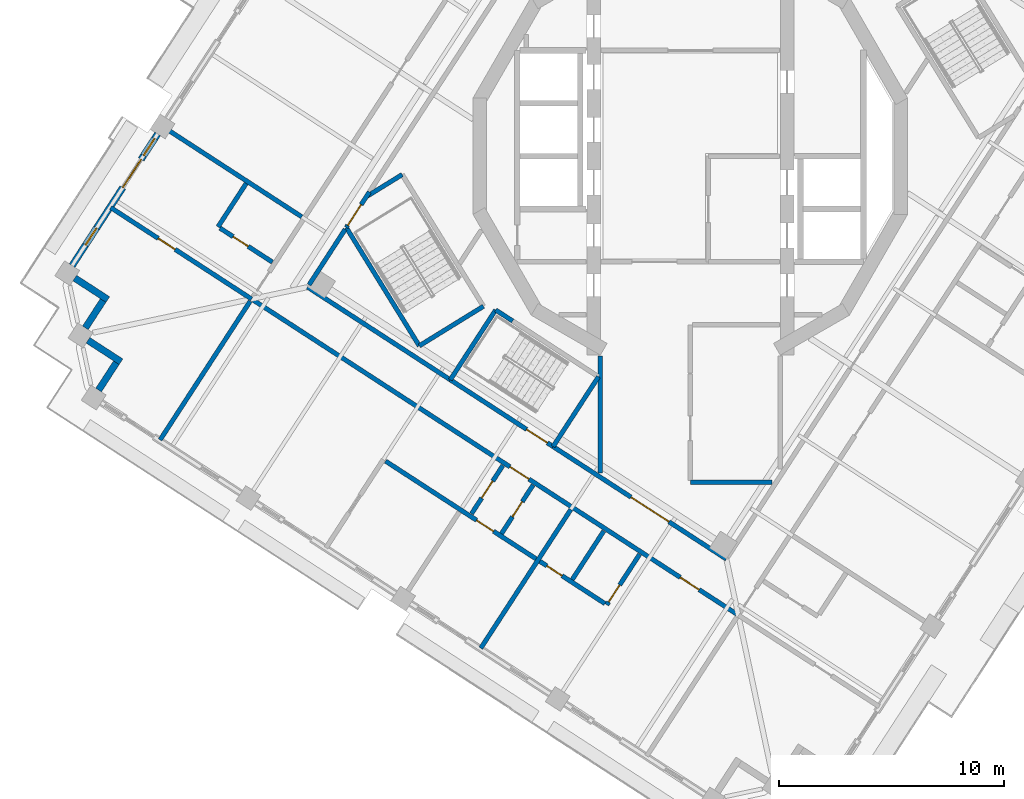
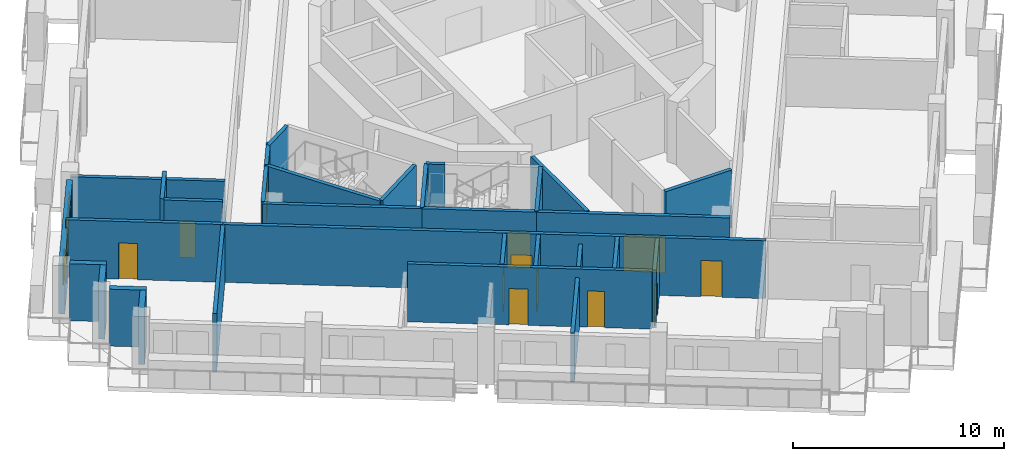
# One storey, part 6 of 17: 30 walls, 13 doors, 2 windows, 15 openings.
"""IFC4 building model written with IfcOpenShell, lengths in metres."""

from ifc_helpers import new_model, si_unit, direction, frame, frame_2d, origin, place, context, subcontext, project, spatial, rectangle, extrude, material, layer, layer_set, type_object, element, fill, save


model = new_model("IFC4")

# Units and contexts
model_context = context("Model", 3, precision=1e-05, world=origin(), true_north=direction((0.0, 1.0)))
body_context = subcontext(model_context, "Body", "Model", "MODEL_VIEW")
ifc_project = project(units=[si_unit("LENGTHUNIT", "METRE"), si_unit("AREAUNIT", "SQUARE_METRE"), si_unit("VOLUMEUNIT", "CUBIC_METRE"), si_unit("PLANEANGLEUNIT", "RADIAN"), si_unit("MASSUNIT", "GRAM", prefix="KILO")], contexts=[model_context])

# Site, building, storey
site_placement = place(None, origin())
site = spatial("IfcSite", under=ifc_project, at=site_placement, CompositionType="ELEMENT")
building_placement = place(site_placement, origin())
building = spatial("IfcBuilding", under=site, at=building_placement, Name="Cantera Rosa Tower", CompositionType="ELEMENT")
storey_placement = place(building_placement, frame((0.0, 0.0, 279.300048828125)))
storey = spatial("IfcBuildingStorey", under=building, at=storey_placement, Name="L63", CompositionType="ELEMENT", Elevation=279.300048828125)

# Wall, openings, doors
ifc_material_1 = material(Name="Gypsum board partition")
ifc_layer_1 = layer(ifc_material_1, 0.199951171875)
ifc_layer_set_1 = layer_set([ifc_layer_1], Name="CORRIDOR WALL 200 H3350")
wall_type_1 = type_object("IfcWallType", Name="CORRIDOR WALL 200 H3350", PredefinedType="PARTITIONING", material=ifc_layer_set_1)
wall_1_placement = place(storey_placement, frame((-19.489013671875, -6.36181640625, 0.0), z_axis=(0.0, 0.0, 1.0), x_axis=(0.838670079337, -0.544639787405, 0.0)))
wall_1 = element("IfcWall", 1, at=wall_1_placement, inside=storey, type_object=wall_type_1, Name="CORRIDOR WALL L63-004", PredefinedType="PARTITIONING", context=body_context, shape_type="SweptSolid", body=[
    extrude(rectangle(XDim=25.780029296875, YDim=0.199951171875, at=frame_2d((12.89013671875, 0.0))), origin(), (0.0, 0.0, 1.0), 3.349853515625),
])
opening_1_placement = place(wall_1_placement, frame((13.679931640625, 0.0, 0.0)))
opening_1 = element("IfcOpeningElement", 2, at=opening_1_placement, cuts=wall_1, Name="Opening L63-032", PredefinedType="OPENING", context=body_context, shape_type="SweptSolid", body=[
    extrude(rectangle(XDim=1.0, YDim=2.10009765625, at=frame_2d((0.5, 1.050048828125))), frame((0.0, 0.10986328125, 0.0), z_axis=(0.0, -1.0, 0.0), x_axis=(1.0, 0.0, 0.0)), (0.0, 0.0, 1.0), 0.219970703125),
])
opening_2_placement = place(wall_1_placement, frame((22.705078125, 0.0, 0.0)))
opening_2 = element("IfcOpeningElement", 3, at=opening_2_placement, cuts=wall_1, Name="Opening L63-037", PredefinedType="OPENING", context=body_context, shape_type="SweptSolid", body=[
    extrude(rectangle(XDim=1.0, YDim=2.10009765625, at=frame_2d((0.5, 1.050048828125))), frame((0.0, 0.10986328125, 0.0), z_axis=(0.0, -1.0, 0.0), x_axis=(1.0, 0.0, 0.0)), (0.0, 0.0, 1.0), 0.219970703125),
])
ifc_material_2 = material(Name="Timber door leaf", Category="wood")
door_type_1 = type_object("IfcDoorType", Name="ENTRANCE DOOR 1000x2100", OperationType="NOTDEFINED", PredefinedType="DOOR", material=ifc_material_2)
door_1_placement = place(opening_1_placement, origin())
door_1 = element("IfcDoor", 4, at=door_1_placement, inside=storey, type_object=door_type_1, Name="DOOR L63-032", OperationType="NOTDEFINED", OverallHeight=2.10009765625, OverallWidth=1.0, PredefinedType="DOOR", context=body_context, shape_type="SweptSolid", body=[
    extrude(rectangle(XDim=1.0, YDim=2.10009765625, at=frame_2d((0.5, 1.050048828125))), frame((0.0, 0.02490234375, 0.0), z_axis=(0.0, -1.0, 0.0), x_axis=(1.0, 0.0, 0.0)), (0.0, 0.0, 1.0), 0.050048828125),
])
fill(opening_1, door_1)
door_2_placement = place(opening_2_placement, origin())
door_2 = element("IfcDoor", 5, at=door_2_placement, inside=storey, type_object=door_type_1, Name="DOOR L63-037", OperationType="NOTDEFINED", OverallHeight=2.10009765625, OverallWidth=1.0, PredefinedType="DOOR", context=body_context, shape_type="SweptSolid", body=[
    extrude(rectangle(XDim=1.0, YDim=2.10009765625, at=frame_2d((0.5, 1.050048828125))), frame((0.0, 0.02490234375, 0.0), z_axis=(0.0, -1.0, 0.0), x_axis=(1.0, 0.0, 0.0)), (0.0, 0.0, 1.0), 0.050048828125),
])
fill(opening_2, door_2)

# Walls
wall_2_placement = place(storey_placement, frame((-17.015869140625, -5.82177734375, 0.0), z_axis=(0.0, 0.0, 1.0), x_axis=(0.838672854678, -0.544635513739, 0.0)))
element("IfcWall", 6, at=wall_2_placement, inside=storey, type_object=wall_type_1, Name="CORRIDOR WALL L63-007", PredefinedType="PARTITIONING", context=body_context, shape_type="SweptSolid", body=[
    extrude(rectangle(XDim=7.56494140625, YDim=0.199951171875, at=frame_2d((3.782470703125, 0.0))), origin(), (0.0, 0.0, 1.0), 3.349853515625),
])
wall_3_placement = place(storey_placement, frame((-15.349853515625, -3.256103515625, 0.0), z_axis=(0.0, 0.0, 1.0), x_axis=(-0.544576607641, -0.838711105453, 0.0)))
element("IfcWall", 7, at=wall_3_placement, inside=storey, type_object=wall_type_1, Name="CORRIDOR WALL L63-009", PredefinedType="PARTITIONING", context=body_context, shape_type="SweptSolid", body=[
    extrude(rectangle(XDim=2.939208984375, YDim=0.199951171875, at=frame_2d((1.4697265625, 0.0))), origin(), (0.0, 0.0, 1.0), 3.349853515625),
])

# Wall, opening, door
wall_4_placement = place(storey_placement, frame((-6.1005859375, -12.91015625, 0.0), z_axis=(0.0, 0.0, 1.0), x_axis=(0.838671883824, -0.544637008734, 0.0)))
wall_4 = element("IfcWall", 8, at=wall_4_placement, inside=storey, type_object=wall_type_1, Name="CORRIDOR WALL L63-034", PredefinedType="PARTITIONING", context=body_context, shape_type="SweptSolid", body=[
    extrude(rectangle(XDim=9.184814453125, YDim=0.199951171875, at=frame_2d((4.59228515625, 0.0))), origin(), (0.0, 0.0, 1.0), 3.349853515625),
])
opening_3_placement = place(wall_4_placement, frame((4.135009765625, 0.0, 0.0)))
opening_3 = element("IfcOpeningElement", 9, at=opening_3_placement, cuts=wall_4, Name="Opening L63-010", PredefinedType="OPENING", context=body_context, shape_type="SweptSolid", body=[
    extrude(rectangle(XDim=2.0, YDim=2.10009765625, at=frame_2d((1.0, 1.050048828125))), frame((0.0, 0.10986328125, 0.0), z_axis=(0.0, -1.0, 0.0), x_axis=(1.0, 0.0, 0.0)), (0.0, 0.0, 1.0), 0.219970703125),
])
ifc_material_3 = material(Name="Steel S355J2 (EN 10025-2)", Category="steel")
door_type_2 = type_object("IfcDoorType", Name="LOBBY SCREEN DOOR 2000x2100", OperationType="NOTDEFINED", PredefinedType="DOOR", material=ifc_material_3)
door_3_placement = place(opening_3_placement, origin())
door_3 = element("IfcDoor", 10, at=door_3_placement, inside=storey, type_object=door_type_2, Name="DOOR L63-010", OperationType="NOTDEFINED", OverallHeight=2.10009765625, OverallWidth=2.0, PredefinedType="DOOR", context=body_context, shape_type="SweptSolid", body=[
    extrude(rectangle(XDim=2.0, YDim=2.10009765625, at=frame_2d((1.0, 1.050048828125))), frame((0.0, 0.02490234375, 0.0), z_axis=(0.0, -1.0, 0.0), x_axis=(1.0, 0.0, 0.0)), (0.0, 0.0, 1.0), 0.050048828125),
])
fill(opening_3, door_3)

# Walls
wall_5_placement = place(storey_placement, frame((-4.0, -14.09423828125, 0.0), z_axis=(0.0, 0.0, 1.0), x_axis=(0.0, 1.0, 0.0)))
element("IfcWall", 11, at=wall_5_placement, inside=storey, type_object=wall_type_1, Name="CORRIDOR WALL L63-043", PredefinedType="PARTITIONING", context=body_context, shape_type="SweptSolid", body=[
    extrude(rectangle(XDim=5.21533203125, YDim=0.199951171875, at=frame_2d((2.607666015625, 0.0))), origin(), (0.0, 0.0, 1.0), 3.349853515625),
])
wall_6_placement = place(storey_placement, frame((0.0, -14.5, 0.0), z_axis=(0.0, 0.0, 1.0), x_axis=(1.0, 0.0, 0.0)))
element("IfcWall", 12, at=wall_6_placement, inside=storey, type_object=wall_type_1, Name="CORRIDOR WALL L63-054", PredefinedType="PARTITIONING", context=body_context, shape_type="SweptSolid", body=[
    extrude(rectangle(XDim=3.638916015625, YDim=0.199951171875, at=frame_2d((1.8193359375, 0.0))), origin(), (0.0, 0.0, 1.0), 3.349853515625),
])
ifc_material_4 = material(Name="Hollow clay masonry with cantera stone cladding", Category="masonry")
ifc_layer_2 = layer(ifc_material_4, 0.300048828125)
ifc_layer_set_2 = layer_set([ifc_layer_2], Name="EW-LOGGIA 300")
wall_type_2 = type_object("IfcWallType", Name="EW-LOGGIA 300", PredefinedType="SOLIDWALL", material=ifc_layer_set_2)
wall_7_placement = place(storey_placement, frame((-27.36669921875, -5.41943359375, 0.0), z_axis=(0.0, 0.0, 1.0), x_axis=(0.838685761837, -0.54461563776, 0.0)))
element("IfcWall", 13, at=wall_7_placement, inside=storey, type_object=wall_type_2, Name="EN-L63-W12a", PredefinedType="SOLIDWALL", context=body_context, shape_type="SweptSolid", body=[
    extrude(rectangle(XDim=1.75, YDim=0.300048828125, at=frame_2d((0.875, 0.0))), origin(), (0.0, 0.0, 1.0), 3.300048828125),
])
wall_8_placement = place(storey_placement, frame((-26.1064453125, -6.41650390625, 0.0), z_axis=(0.0, 0.0, 1.0), x_axis=(-0.54467465438, -0.838647435384, 0.0)))
element("IfcWall", 14, at=wall_8_placement, inside=storey, type_object=wall_type_2, Name="EN-L63-W12b", PredefinedType="SOLIDWALL", context=body_context, shape_type="SweptSolid", body=[
    extrude(rectangle(XDim=1.449951171875, YDim=0.300048828125, at=frame_2d((0.72509765625, 0.0))), origin(), (0.0, 0.0, 1.0), 3.300048828125),
])
wall_9_placement = place(storey_placement, frame((-26.778564453125, -8.18603515625, 0.0), z_axis=(0.0, 0.0, 1.0), x_axis=(0.838685761837, -0.54461563776, 0.0)))
element("IfcWall", 15, at=wall_9_placement, inside=storey, type_object=wall_type_2, Name="EN-L63-W13a", PredefinedType="SOLIDWALL", context=body_context, shape_type="SweptSolid", body=[
    extrude(rectangle(XDim=1.75, YDim=0.300048828125, at=frame_2d((0.875, 0.0))), origin(), (0.0, 0.0, 1.0), 3.300048828125),
])
wall_10_placement = place(storey_placement, frame((-25.518310546875, -9.18310546875, 0.0), z_axis=(0.0, 0.0, 1.0), x_axis=(-0.54467465438, -0.838647435384, 0.0)))
element("IfcWall", 16, at=wall_10_placement, inside=storey, type_object=wall_type_2, Name="EN-L63-W13b", PredefinedType="SOLIDWALL", context=body_context, shape_type="SweptSolid", body=[
    extrude(rectangle(XDim=1.449951171875, YDim=0.300048828125, at=frame_2d((0.72509765625, 0.0))), origin(), (0.0, 0.0, 1.0), 3.300048828125),
])

# Wall, openings, windows, door
ifc_material_5 = material(Name="Hollow clay masonry with cantera stone cladding", Category="masonry")
ifc_layer_3 = layer(ifc_material_5, 0.300048828125)
ifc_layer_set_3 = layer_set([ifc_layer_3], Name="EW-LOGGIA 300 H2890")
wall_type_3 = type_object("IfcWallType", Name="EW-LOGGIA 300 H2890", PredefinedType="SOLIDWALL", material=ifc_layer_set_3)
wall_11_placement = place(storey_placement, frame((-23.6826171875, 0.98779296875, 0.0), z_axis=(0.0, 0.0, 1.0), x_axis=(-0.544667428764, -0.838652128146, 0.0)))
wall_11 = element("IfcWall", 17, at=wall_11_placement, inside=storey, type_object=wall_type_3, Name="EN-L63-W11", PredefinedType="SOLIDWALL", context=body_context, shape_type="SweptSolid", body=[
    extrude(rectangle(XDim=6.97998046875, YDim=0.300048828125, at=frame_2d((3.489990234375, 0.0))), origin(), (0.0, 0.0, 1.0), 2.889892578125),
])
opening_4_placement = place(wall_11_placement, frame((0.2451171875, 0.0, 0.89990234375)))
opening_4 = element("IfcOpeningElement", 18, at=opening_4_placement, cuts=wall_11, Name="Opening L63-W19", PredefinedType="OPENING", context=body_context, shape_type="SweptSolid", body=[
    extrude(rectangle(XDim=0.89990234375, YDim=1.5, at=frame_2d((0.449951171875, 0.75))), frame((0.0, 0.159912109375, 0.0), z_axis=(0.0, -1.0, 0.0), x_axis=(1.0, 0.0, 0.0)), (0.0, 0.0, 1.0), 0.320068359375),
])
opening_5_placement = place(wall_11_placement, frame((1.344970703125, 0.0, 0.0)))
opening_5 = element("IfcOpeningElement", 19, at=opening_5_placement, cuts=wall_11, Name="Opening L63-TD20", PredefinedType="OPENING", context=body_context, shape_type="SweptSolid", body=[
    extrude(rectangle(XDim=1.5, YDim=2.39990234375, at=frame_2d((0.75, 1.199951171875))), frame((0.0, 0.159912109375, 0.0), z_axis=(0.0, -1.0, 0.0), x_axis=(1.0, 0.0, 0.0)), (0.0, 0.0, 1.0), 0.320068359375),
])
opening_6_placement = place(wall_11_placement, frame((4.985107421875, 0.0, 0.89990234375)))
opening_6 = element("IfcOpeningElement", 20, at=opening_6_placement, cuts=wall_11, Name="Opening L63-W21", PredefinedType="OPENING", context=body_context, shape_type="SweptSolid", body=[
    extrude(rectangle(XDim=0.89990234375, YDim=1.5, at=frame_2d((0.449951171875, 0.75))), frame((0.0, 0.159912109375, 0.0), z_axis=(0.0, -1.0, 0.0), x_axis=(1.0, 0.0, 0.0)), (0.0, 0.0, 1.0), 0.320068359375),
])
ifc_material_6 = material(Name="Aluminium frame with clear glass", Category="aluminium")
window_type = type_object("IfcWindowType", Name="Residential window 900x1500", PartitioningType="SINGLE_PANEL", PredefinedType="WINDOW", material=ifc_material_6)
window_1_placement = place(opening_4_placement, origin())
window_1 = element("IfcWindow", 21, at=window_1_placement, inside=storey, type_object=window_type, Name="WINDOW L63-W19", OverallHeight=1.5, OverallWidth=0.89990234375, PartitioningType="SINGLE_PANEL", PredefinedType="WINDOW", context=body_context, shape_type="SweptSolid", body=[
    extrude(rectangle(XDim=0.89990234375, YDim=1.5, at=frame_2d((0.449951171875, 0.75))), frame((0.0, 0.030029296875, 0.0), z_axis=(0.0, -1.0, 0.0), x_axis=(1.0, 0.0, 0.0)), (0.0, 0.0, 1.0), 0.06005859375),
])
fill(opening_4, window_1)
window_2_placement = place(opening_6_placement, origin())
window_2 = element("IfcWindow", 22, at=window_2_placement, inside=storey, type_object=window_type, Name="WINDOW L63-W21", OverallHeight=1.5, OverallWidth=0.89990234375, PartitioningType="SINGLE_PANEL", PredefinedType="WINDOW", context=body_context, shape_type="SweptSolid", body=[
    extrude(rectangle(XDim=0.89990234375, YDim=1.5, at=frame_2d((0.449951171875, 0.75))), frame((0.0, 0.030029296875, 0.0), z_axis=(0.0, -1.0, 0.0), x_axis=(1.0, 0.0, 0.0)), (0.0, 0.0, 1.0), 0.06005859375),
])
fill(opening_6, window_2)
ifc_material_7 = material(Name="Aluminium frame with clear glass", Category="aluminium")
door_type_3 = type_object("IfcDoorType", Name="TD-R 1500x2400", OperationType="NOTDEFINED", PredefinedType="DOOR", material=ifc_material_7)
door_4_placement = place(opening_5_placement, origin())
door_4 = element("IfcDoor", 23, at=door_4_placement, inside=storey, type_object=door_type_3, Name="LOGGIA DOOR L63-TD20", OperationType="SLIDING_TO_LEFT", OverallHeight=2.39990234375, OverallWidth=1.5, PredefinedType="DOOR", context=body_context, shape_type="SweptSolid", body=[
    extrude(rectangle(XDim=1.5, YDim=2.39990234375, at=frame_2d((0.75, 1.199951171875))), frame((0.0, 0.02490234375, 0.0), z_axis=(0.0, -1.0, 0.0), x_axis=(1.0, 0.0, 0.0)), (0.0, 0.0, 1.0), 0.050048828125),
])
fill(opening_5, door_4)

# Wall, opening, door
ifc_material_8 = material(Name="Gypsum board partition")
ifc_layer_4 = layer(ifc_material_8, 0.199951171875)
ifc_layer_set_4 = layer_set([ifc_layer_4], Name="PARTITION 200 H3350")
wall_type_4 = type_object("IfcWallType", Name="PARTITION 200 H3350", PredefinedType="PARTITIONING", material=ifc_layer_set_4)
wall_12_placement = place(storey_placement, frame((-25.770751953125, -2.282470703125, 0.0), z_axis=(0.0, 0.0, 1.0), x_axis=(0.838662331082, -0.544651718463, 0.0)))
wall_12 = element("IfcWall", 24, at=wall_12_placement, inside=storey, type_object=wall_type_4, Name="PARTITION L63-001", PredefinedType="PARTITIONING", context=body_context, shape_type="SweptSolid", body=[
    extrude(rectangle(XDim=7.47021484375, YDim=0.199951171875, at=frame_2d((3.735107421875, 0.0))), origin(), (0.0, 0.0, 1.0), 3.349853515625),
])
opening_7_placement = place(wall_12_placement, frame((2.52001953125, 0.0, 0.0)))
opening_7 = element("IfcOpeningElement", 25, at=opening_7_placement, cuts=wall_12, Name="Opening L63-031", PredefinedType="OPENING", context=body_context, shape_type="SweptSolid", body=[
    extrude(rectangle(XDim=0.89990234375, YDim=2.10009765625, at=frame_2d((0.449951171875, 1.050048828125))), frame((0.0, 0.10986328125, 0.0), z_axis=(0.0, -1.0, 0.0), x_axis=(1.0, 0.0, 0.0)), (0.0, 0.0, 1.0), 0.219970703125),
])
ifc_material_9 = material(Name="Timber door leaf", Category="wood")
door_type_4 = type_object("IfcDoorType", Name="ROOM DOOR 900x2100", OperationType="NOTDEFINED", PredefinedType="DOOR", material=ifc_material_9)
door_5_placement = place(opening_7_placement, origin())
door_5 = element("IfcDoor", 26, at=door_5_placement, inside=storey, type_object=door_type_4, Name="DOOR L63-031", OperationType="NOTDEFINED", OverallHeight=2.10009765625, OverallWidth=0.89990234375, PredefinedType="DOOR", context=body_context, shape_type="SweptSolid", body=[
    extrude(rectangle(XDim=0.89990234375, YDim=2.10009765625, at=frame_2d((0.449951171875, 1.050048828125))), frame((0.0, 0.02490234375, 0.0), z_axis=(0.0, -1.0, 0.0), x_axis=(1.0, 0.0, 0.0)), (0.0, 0.0, 1.0), 0.050048828125),
])
fill(opening_7, door_5)

# Wall
wall_13_placement = place(storey_placement, frame((-20.997802734375, -3.140380859375, 0.0), z_axis=(0.0, 0.0, 1.0), x_axis=(0.544566653292, 0.838717568745, 0.0)))
element("IfcWall", 27, at=wall_13_placement, inside=storey, type_object=wall_type_4, Name="PARTITION L63-002", PredefinedType="PARTITIONING", context=body_context, shape_type="SweptSolid", body=[
    extrude(rectangle(XDim=2.2998046875, YDim=0.199951171875, at=frame_2d((1.14990234375, 0.0))), origin(), (0.0, 0.0, 1.0), 3.349853515625),
])

# Wall, opening, door
wall_14_placement = place(storey_placement, frame((-18.58251953125, -4.708984375, 0.0), z_axis=(0.0, 0.0, 1.0), x_axis=(-0.838664250698, 0.5446487626, 0.0)))
wall_14 = element("IfcWall", 28, at=wall_14_placement, inside=storey, type_object=wall_type_4, Name="PARTITION L63-005", PredefinedType="PARTITIONING", context=body_context, shape_type="SweptSolid", body=[
    extrude(rectangle(XDim=2.780029296875, YDim=0.199951171875, at=frame_2d((1.39013671875, 0.0))), origin(), (0.0, 0.0, 1.0), 3.349853515625),
])
opening_8_placement = place(wall_14_placement, frame((1.280029296875, 0.0, 0.0)))
opening_8 = element("IfcOpeningElement", 29, at=opening_8_placement, cuts=wall_14, Name="Opening L63-030", PredefinedType="OPENING", context=body_context, shape_type="SweptSolid", body=[
    extrude(rectangle(XDim=0.800048828125, YDim=2.10009765625, at=frame_2d((0.39990234375, 1.050048828125))), frame((0.0, 0.10986328125, 0.0), z_axis=(0.0, -1.0, 0.0), x_axis=(1.0, 0.0, 0.0)), (0.0, 0.0, 1.0), 0.219970703125),
])
ifc_material_10 = material(Name="Timber door leaf", Category="wood")
door_type_5 = type_object("IfcDoorType", Name="BATHROOM DOOR 800x2100", OperationType="NOTDEFINED", PredefinedType="DOOR", material=ifc_material_10)
door_6_placement = place(opening_8_placement, origin())
door_6 = element("IfcDoor", 30, at=door_6_placement, inside=storey, type_object=door_type_5, Name="DOOR L63-030", OperationType="NOTDEFINED", OverallHeight=2.10009765625, OverallWidth=0.800048828125, PredefinedType="DOOR", context=body_context, shape_type="SweptSolid", body=[
    extrude(rectangle(XDim=0.800048828125, YDim=2.10009765625, at=frame_2d((0.39990234375, 1.050048828125))), frame((0.0, 0.02490234375, 0.0), z_axis=(0.0, -1.0, 0.0), x_axis=(1.0, 0.0, 0.0)), (0.0, 0.0, 1.0), 0.050048828125),
])
fill(opening_8, door_6)

# Wall, openings, doors
wall_15_placement = place(storey_placement, frame((-13.5498046875, -13.557373046875, 0.0), z_axis=(0.0, 0.0, 1.0), x_axis=(0.838665608193, -0.544646672288, 0.0)))
wall_15 = element("IfcWall", 31, at=wall_15_placement, inside=storey, type_object=wall_type_4, Name="PARTITION L63-011", PredefinedType="PARTITIONING", context=body_context, shape_type="SweptSolid", body=[
    extrude(rectangle(XDim=11.6298828125, YDim=0.199951171875, at=frame_2d((5.81494140625, 0.0))), origin(), (0.0, 0.0, 1.0), 3.349853515625),
])
opening_9_placement = place(wall_15_placement, frame((4.830078125, 0.0, 0.0)))
opening_9 = element("IfcOpeningElement", 32, at=opening_9_placement, cuts=wall_15, Name="Opening L63-035", PredefinedType="OPENING", context=body_context, shape_type="SweptSolid", body=[
    extrude(rectangle(XDim=0.89990234375, YDim=2.10009765625, at=frame_2d((0.449951171875, 1.050048828125))), frame((0.0, 0.10986328125, 0.0), z_axis=(0.0, -1.0, 0.0), x_axis=(1.0, 0.0, 0.0)), (0.0, 0.0, 1.0), 0.219970703125),
])
opening_10_placement = place(wall_15_placement, frame((8.554931640625, 0.0, 0.0)))
opening_10 = element("IfcOpeningElement", 33, at=opening_10_placement, cuts=wall_15, Name="Opening L63-038", PredefinedType="OPENING", context=body_context, shape_type="SweptSolid", body=[
    extrude(rectangle(XDim=0.800048828125, YDim=2.10009765625, at=frame_2d((0.39990234375, 1.050048828125))), frame((0.0, 0.10986328125, 0.0), z_axis=(0.0, -1.0, 0.0), x_axis=(1.0, 0.0, 0.0)), (0.0, 0.0, 1.0), 0.219970703125),
])
door_7_placement = place(opening_10_placement, origin())
door_7 = element("IfcDoor", 34, at=door_7_placement, inside=storey, type_object=door_type_5, Name="DOOR L63-038", OperationType="NOTDEFINED", OverallHeight=2.10009765625, OverallWidth=0.800048828125, PredefinedType="DOOR", context=body_context, shape_type="SweptSolid", body=[
    extrude(rectangle(XDim=0.800048828125, YDim=2.10009765625, at=frame_2d((0.39990234375, 1.050048828125))), frame((0.0, 0.02490234375, 0.0), z_axis=(0.0, -1.0, 0.0), x_axis=(1.0, 0.0, 0.0)), (0.0, 0.0, 1.0), 0.050048828125),
])
fill(opening_10, door_7)
door_8_placement = place(opening_9_placement, origin())
door_8 = element("IfcDoor", 35, at=door_8_placement, inside=storey, type_object=door_type_4, Name="DOOR L63-035", OperationType="NOTDEFINED", OverallHeight=2.10009765625, OverallWidth=0.89990234375, PredefinedType="DOOR", context=body_context, shape_type="SweptSolid", body=[
    extrude(rectangle(XDim=0.89990234375, YDim=2.10009765625, at=frame_2d((0.449951171875, 1.050048828125))), frame((0.0, 0.02490234375, 0.0), z_axis=(0.0, -1.0, 0.0), x_axis=(1.0, 0.0, 0.0)), (0.0, 0.0, 1.0), 0.050048828125),
])
fill(opening_9, door_8)

# Wall, opening, door
wall_16_placement = place(storey_placement, frame((-9.727294921875, -15.896728515625, 0.0), z_axis=(0.0, 0.0, 1.0), x_axis=(0.544646388536, 0.838665792468, 0.0)))
wall_16 = element("IfcWall", 36, at=wall_16_placement, inside=storey, type_object=wall_type_4, Name="PARTITION L63-018", PredefinedType="PARTITIONING", context=body_context, shape_type="SweptSolid", body=[
    extrude(rectangle(XDim=2.56005859375, YDim=0.199951171875, at=frame_2d((1.280029296875, 0.0))), origin(), (0.0, 0.0, 1.0), 3.349853515625),
])
opening_11_placement = place(wall_16_placement, frame((0.830078125, 0.0, 0.0)))
opening_11 = element("IfcOpeningElement", 37, at=opening_11_placement, cuts=wall_16, Name="Opening L63-034", PredefinedType="OPENING", context=body_context, shape_type="SweptSolid", body=[
    extrude(rectangle(XDim=0.89990234375, YDim=2.10009765625, at=frame_2d((0.449951171875, 1.050048828125))), frame((0.0, 0.10986328125, 0.0), z_axis=(0.0, -1.0, 0.0), x_axis=(1.0, 0.0, 0.0)), (0.0, 0.0, 1.0), 0.219970703125),
])
door_9_placement = place(opening_11_placement, origin())
door_9 = element("IfcDoor", 38, at=door_9_placement, inside=storey, type_object=door_type_4, Name="DOOR L63-034", OperationType="NOTDEFINED", OverallHeight=2.10009765625, OverallWidth=0.89990234375, PredefinedType="DOOR", context=body_context, shape_type="SweptSolid", body=[
    extrude(rectangle(XDim=0.89990234375, YDim=2.10009765625, at=frame_2d((0.449951171875, 1.050048828125))), frame((0.0, 0.02490234375, 0.0), z_axis=(0.0, -1.0, 0.0), x_axis=(1.0, 0.0, 0.0)), (0.0, 0.0, 1.0), 0.050048828125),
])
fill(opening_11, door_9)

wall_17_placement = place(storey_placement, frame((-8.396240234375, -16.784912109375, 0.0), z_axis=(0.0, 0.0, 1.0), x_axis=(0.544592476005, 0.838700801883, 0.0)))
wall_17 = element("IfcWall", 39, at=wall_17_placement, inside=storey, type_object=wall_type_4, Name="PARTITION L63-025", PredefinedType="PARTITIONING", context=body_context, shape_type="SweptSolid", body=[
    extrude(rectangle(XDim=2.580078125, YDim=0.199951171875, at=frame_2d((1.2900390625, 0.0))), origin(), (0.0, 0.0, 1.0), 3.349853515625),
])
opening_12_placement = place(wall_17_placement, frame((0.89990234375, 0.0, 0.0)))
opening_12 = element("IfcOpeningElement", 40, at=opening_12_placement, cuts=wall_17, Name="Opening L63-033", PredefinedType="OPENING", context=body_context, shape_type="SweptSolid", body=[
    extrude(rectangle(XDim=0.800048828125, YDim=2.10009765625, at=frame_2d((0.39990234375, 1.050048828125))), frame((0.0, 0.10986328125, 0.0), z_axis=(0.0, -1.0, 0.0), x_axis=(1.0, 0.0, 0.0)), (0.0, 0.0, 1.0), 0.219970703125),
])
door_10_placement = place(opening_12_placement, origin())
door_10 = element("IfcDoor", 41, at=door_10_placement, inside=storey, type_object=door_type_5, Name="DOOR L63-033", OperationType="NOTDEFINED", OverallHeight=2.10009765625, OverallWidth=0.800048828125, PredefinedType="DOOR", context=body_context, shape_type="SweptSolid", body=[
    extrude(rectangle(XDim=0.800048828125, YDim=2.10009765625, at=frame_2d((0.39990234375, 1.050048828125))), frame((0.0, 0.02490234375, 0.0), z_axis=(0.0, -1.0, 0.0), x_axis=(1.0, 0.0, 0.0)), (0.0, 0.0, 1.0), 0.050048828125),
])
fill(opening_12, door_10)

# Wall
wall_18_placement = place(storey_placement, frame((-3.84619140625, -16.66357421875, 0.0), z_axis=(0.0, 0.0, 1.0), x_axis=(-0.544592476005, -0.838700801883, 0.0)))
element("IfcWall", 42, at=wall_18_placement, inside=storey, type_object=wall_type_4, Name="PARTITION L63-047", PredefinedType="PARTITIONING", context=body_context, shape_type="SweptSolid", body=[
    extrude(rectangle(XDim=2.580078125, YDim=0.199951171875, at=frame_2d((1.2900390625, 0.0))), origin(), (0.0, 0.0, 1.0), 3.349853515625),
])

# Wall, opening, door
wall_19_placement = place(storey_placement, frame((-2.252685546875, -17.698486328125, 0.0), z_axis=(0.0, 0.0, 1.0), x_axis=(-0.544674512884, -0.838647527281, 0.0)))
wall_19 = element("IfcWall", 43, at=wall_19_placement, inside=storey, type_object=wall_type_4, Name="PARTITION L63-048", PredefinedType="PARTITIONING", context=body_context, shape_type="SweptSolid", body=[
    extrude(rectangle(XDim=2.679931640625, YDim=0.199951171875, at=frame_2d((1.33984375, 0.0))), origin(), (0.0, 0.0, 1.0), 3.349853515625),
])
opening_13_placement = place(wall_19_placement, frame((1.6298828125, 0.0, 0.0)))
opening_13 = element("IfcOpeningElement", 44, at=opening_13_placement, cuts=wall_19, Name="Opening L63-039", PredefinedType="OPENING", context=body_context, shape_type="SweptSolid", body=[
    extrude(rectangle(XDim=0.89990234375, YDim=2.10009765625, at=frame_2d((0.449951171875, 1.050048828125))), frame((0.0, 0.10986328125, 0.0), z_axis=(0.0, -1.0, 0.0), x_axis=(1.0, 0.0, 0.0)), (0.0, 0.0, 1.0), 0.219970703125),
])
door_11_placement = place(opening_13_placement, origin())
door_11 = element("IfcDoor", 45, at=door_11_placement, inside=storey, type_object=door_type_4, Name="DOOR L63-039", OperationType="NOTDEFINED", OverallHeight=2.10009765625, OverallWidth=0.89990234375, PredefinedType="DOOR", context=body_context, shape_type="SweptSolid", body=[
    extrude(rectangle(XDim=0.89990234375, YDim=2.10009765625, at=frame_2d((0.449951171875, 1.050048828125))), frame((0.0, 0.02490234375, 0.0), z_axis=(0.0, -1.0, 0.0), x_axis=(1.0, 0.0, 0.0)), (0.0, 0.0, 1.0), 0.050048828125),
])
fill(opening_13, door_11)

# Walls
ifc_material_11 = material(Name="Gypsum board partition")
ifc_layer_5 = layer(ifc_material_11, 0.199951171875)
ifc_layer_set_5 = layer_set([ifc_layer_5], Name="PARTY WALL 200 H2850")
wall_type_5 = type_object("IfcWallType", Name="PARTY WALL 200 H2850", PredefinedType="PARTITIONING", material=ifc_layer_set_5)
wall_20_placement = place(storey_placement, frame((-17.275390625, -2.696044921875, 0.0), z_axis=(0.0, 0.0, 1.0), x_axis=(-0.838684106336, 0.544618187155, 0.0)))
element("IfcWall", 46, at=wall_20_placement, inside=storey, type_object=wall_type_5, Name="PARTY WALL L63-006", PredefinedType="PARTITIONING", context=body_context, shape_type="SweptSolid", body=[
    extrude(rectangle(XDim=7.349853515625, YDim=0.199951171875, at=frame_2d((3.6748046875, 0.0))), origin(), (0.0, 0.0, 1.0), 2.849853515625),
])
wall_21_placement = place(storey_placement, frame((-5.313720703125, -15.71044921875, 0.0), z_axis=(0.0, 0.0, 1.0), x_axis=(-0.544641550729, -0.838668934217, 0.0)))
element("IfcWall", 47, at=wall_21_placement, inside=storey, type_object=wall_type_5, Name="PARTY WALL L63-038", PredefinedType="PARTITIONING", context=body_context, shape_type="SweptSolid", body=[
    extrude(rectangle(XDim=7.35009765625, YDim=0.199951171875, at=frame_2d((3.675048828125, 0.0))), origin(), (0.0, 0.0, 1.0), 2.849853515625),
])
ifc_material_12 = material(Name="Gypsum board partition")
ifc_layer_6 = layer(ifc_material_12, 0.199951171875)
ifc_layer_set_6 = layer_set([ifc_layer_6], Name="PARTY WALL 200 H3350")
wall_type_6 = type_object("IfcWallType", Name="PARTY WALL 200 H3350", PredefinedType="PARTITIONING", material=ifc_layer_set_6)
wall_22_placement = place(storey_placement, frame((-19.5712890625, -6.45166015625, 0.0), z_axis=(0.0, 0.0, 1.0), x_axis=(-0.544633359557, -0.838674253604, 0.0)))
element("IfcWall", 48, at=wall_22_placement, inside=storey, type_object=wall_type_6, Name="PARTY WALL L63-003", PredefinedType="PARTITIONING", context=body_context, shape_type="SweptSolid", body=[
    extrude(rectangle(XDim=7.349853515625, YDim=0.199951171875, at=frame_2d((3.6748046875, 0.0))), origin(), (0.0, 0.0, 1.0), 3.349853515625),
])

# Wall, opening, door
ifc_material_13 = material(Name="Concrete C50/60", Category="concrete")
ifc_layer_7 = layer(ifc_material_13, 0.199951171875)
ifc_layer_set_7 = layer_set([ifc_layer_7], Name="STAIR WALL 200 H3350")
wall_type_7 = type_object("IfcWallType", Name="STAIR WALL 200 H3350", PredefinedType="SOLIDWALL", material=ifc_layer_set_7)
wall_23_placement = place(storey_placement, frame((-14.268310546875, -1.5908203125, 0.0), z_axis=(0.0, 0.0, 1.0), x_axis=(-0.544651565877, -0.838662430176, 0.0)))
wall_23 = element("IfcWall", 49, at=wall_23_placement, inside=storey, type_object=wall_type_7, Name="STAIR WALL L63-010", PredefinedType="SOLIDWALL", context=body_context, shape_type="SweptSolid", body=[
    extrude(rectangle(XDim=1.8857421875, YDim=0.199951171875, at=frame_2d((0.94287109375, 0.0))), origin(), (0.0, 0.0, 1.0), 3.349853515625),
])
opening_14_placement = place(wall_23_placement, frame((0.6689453125, 0.0, 0.0)))
opening_14 = element("IfcOpeningElement", 50, at=opening_14_placement, cuts=wall_23, Name="Opening L63-002", PredefinedType="OPENING", context=body_context, shape_type="SweptSolid", body=[
    extrude(rectangle(XDim=1.10009765625, YDim=2.10009765625, at=frame_2d((0.550048828125, 1.050048828125))), frame((0.0, 0.10986328125, 0.0), z_axis=(0.0, -1.0, 0.0), x_axis=(1.0, 0.0, 0.0)), (0.0, 0.0, 1.0), 0.219970703125),
])
ifc_material_14 = material(Name="Steel S355J2 (EN 10025-2)", Category="steel")
door_type_6 = type_object("IfcDoorType", Name="STAIR DOOR 1100x2100", OperationType="NOTDEFINED", PredefinedType="DOOR", material=ifc_material_14)
door_12_placement = place(opening_14_placement, origin())
door_12 = element("IfcDoor", 51, at=door_12_placement, inside=storey, type_object=door_type_6, Name="DOOR L63-002", OperationType="NOTDEFINED", OverallHeight=2.10009765625, OverallWidth=1.10009765625, PredefinedType="DOOR", context=body_context, shape_type="SweptSolid", body=[
    extrude(rectangle(XDim=1.10009765625, YDim=2.10009765625, at=frame_2d((0.550048828125, 1.050048828125))), frame((0.0, 0.02490234375, 0.0), z_axis=(0.0, -1.0, 0.0), x_axis=(1.0, 0.0, 0.0)), (0.0, 0.0, 1.0), 0.050048828125),
])
fill(opening_14, door_12)

# Walls
wall_24_placement = place(storey_placement, frame((-12.811279296875, -0.818359375, 0.0), z_axis=(0.0, 0.0, 1.0), x_axis=(-0.851125244186, -0.524962683158, 0.0)))
element("IfcWall", 52, at=wall_24_placement, inside=storey, type_object=wall_type_7, Name="STAIR WALL L63-012", PredefinedType="SOLIDWALL", context=body_context, shape_type="SweptSolid", body=[
    extrude(rectangle(XDim=1.872802734375, YDim=0.199951171875, at=frame_2d((0.9365234375, 0.0))), origin(), (0.0, 0.0, 1.0), 3.349853515625),
])
wall_25_placement = place(storey_placement, frame((-12.05078125, -8.4326171875, 0.0), z_axis=(0.0, 0.0, 1.0), x_axis=(-0.524983142341, 0.851112624896, 0.0)))
element("IfcWall", 53, at=wall_25_placement, inside=storey, type_object=wall_type_7, Name="STAIR WALL L63-014", PredefinedType="SOLIDWALL", context=body_context, shape_type="SweptSolid", body=[
    extrude(rectangle(XDim=6.180419921875, YDim=0.199951171875, at=frame_2d((3.09033203125, 0.0))), origin(), (0.0, 0.0, 1.0), 3.349853515625),
])
wall_26_placement = place(storey_placement, frame((-10.67138671875, -9.94189453125, 0.0), z_axis=(0.0, 0.0, 1.0), x_axis=(0.544677727046, 0.838645439778, 0.0)))
element("IfcWall", 54, at=wall_26_placement, inside=storey, type_object=wall_type_7, Name="STAIR WALL L63-016", PredefinedType="SOLIDWALL", context=body_context, shape_type="SweptSolid", body=[
    extrude(rectangle(XDim=3.702392578125, YDim=0.199951171875, at=frame_2d((1.85107421875, 0.0))), origin(), (0.0, 0.0, 1.0), 3.349853515625),
])

# Wall, opening, door
wall_27_placement = place(storey_placement, frame((-10.67138671875, -9.94189453125, 0.0), z_axis=(0.0, 0.0, 1.0), x_axis=(0.838674843592, -0.544632451041, 0.0)))
wall_27 = element("IfcWall", 55, at=wall_27_placement, inside=storey, type_object=wall_type_7, Name="STAIR WALL L63-017", PredefinedType="SOLIDWALL", context=body_context, shape_type="SweptSolid", body=[
    extrude(rectangle(XDim=5.449951171875, YDim=0.199951171875, at=frame_2d((2.72509765625, 0.0))), origin(), (0.0, 0.0, 1.0), 3.349853515625),
])
opening_15_placement = place(wall_27_placement, frame((4.050048828125, 0.0, 0.0)))
opening_15 = element("IfcOpeningElement", 56, at=opening_15_placement, cuts=wall_27, Name="Opening L63-003", PredefinedType="OPENING", context=body_context, shape_type="SweptSolid", body=[
    extrude(rectangle(XDim=1.10009765625, YDim=2.10009765625, at=frame_2d((0.550048828125, 1.050048828125))), frame((0.0, 0.10986328125, 0.0), z_axis=(0.0, -1.0, 0.0), x_axis=(1.0, 0.0, 0.0)), (0.0, 0.0, 1.0), 0.219970703125),
])
door_13_placement = place(opening_15_placement, origin())
door_13 = element("IfcDoor", 57, at=door_13_placement, inside=storey, type_object=door_type_6, Name="DOOR L63-003", OperationType="NOTDEFINED", OverallHeight=2.10009765625, OverallWidth=1.10009765625, PredefinedType="DOOR", context=body_context, shape_type="SweptSolid", body=[
    extrude(rectangle(XDim=1.10009765625, YDim=2.10009765625, at=frame_2d((0.550048828125, 1.050048828125))), frame((0.0, 0.02490234375, 0.0), z_axis=(0.0, -1.0, 0.0), x_axis=(1.0, 0.0, 0.0)), (0.0, 0.0, 1.0), 0.050048828125),
])
fill(opening_15, door_13)

# Walls
wall_28_placement = place(storey_placement, frame((-9.199462890625, -6.674072265625, 0.0), z_axis=(0.0, 0.0, 1.0), x_axis=(-0.85113993661, -0.524938861495, 0.0)))
element("IfcWall", 58, at=wall_28_placement, inside=storey, type_object=wall_type_7, Name="STAIR WALL L63-021", PredefinedType="SOLIDWALL", context=body_context, shape_type="SweptSolid", body=[
    extrude(rectangle(XDim=3.35009765625, YDim=0.199951171875, at=frame_2d((1.675048828125, 0.0))), origin(), (0.0, 0.0, 1.0), 3.349853515625),
])
wall_29_placement = place(storey_placement, frame((-8.65478515625, -6.8369140625, 0.0), z_axis=(0.0, 0.0, 1.0), x_axis=(0.838666637781, -0.54464508689, 0.0)))
element("IfcWall", 59, at=wall_29_placement, inside=storey, type_object=wall_type_7, Name="STAIR WALL L63-024", PredefinedType="SOLIDWALL", context=body_context, shape_type="SweptSolid", body=[
    extrude(rectangle(XDim=0.900146484375, YDim=0.199951171875, at=frame_2d((0.4501953125, 0.0))), origin(), (0.0, 0.0, 1.0), 3.349853515625),
])
wall_30_placement = place(storey_placement, frame((-4.083984375, -9.80517578125, 0.0), z_axis=(0.0, 0.0, 1.0), x_axis=(-0.544677727046, -0.838645439778, 0.0)))
element("IfcWall", 60, at=wall_30_placement, inside=storey, type_object=wall_type_7, Name="STAIR WALL L63-042", PredefinedType="SOLIDWALL", context=body_context, shape_type="SweptSolid", body=[
    extrude(rectangle(XDim=3.702392578125, YDim=0.199951171875, at=frame_2d((1.85107421875, 0.0))), origin(), (0.0, 0.0, 1.0), 3.349853515625),
])

save(model, "model.ifc")
